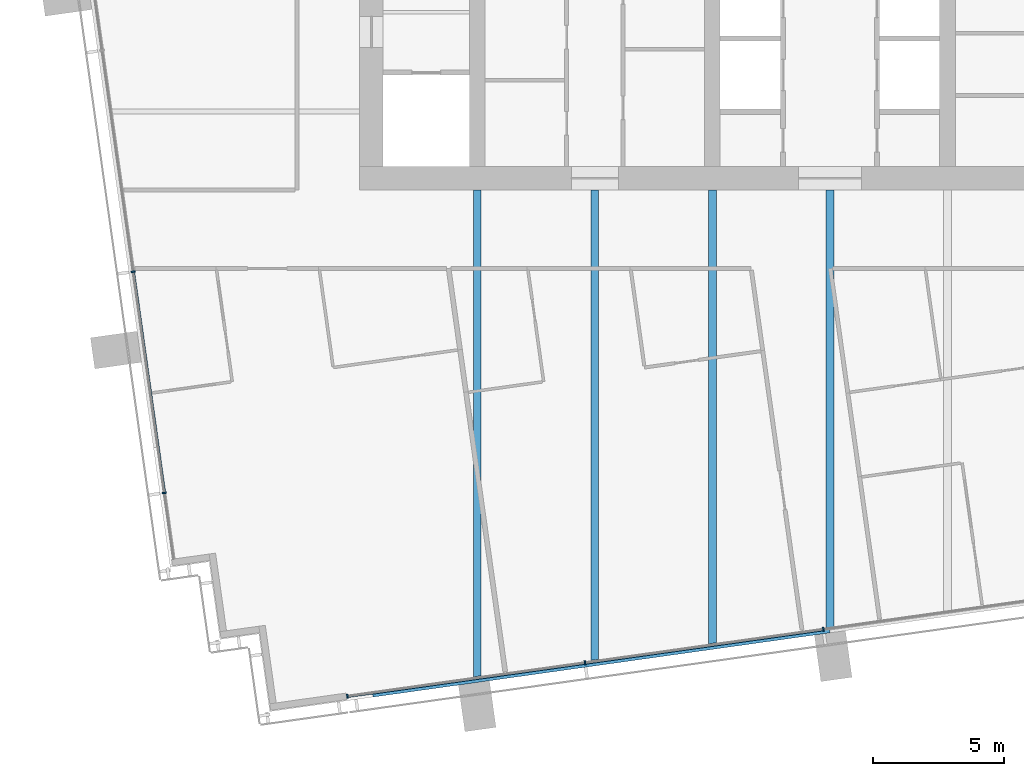
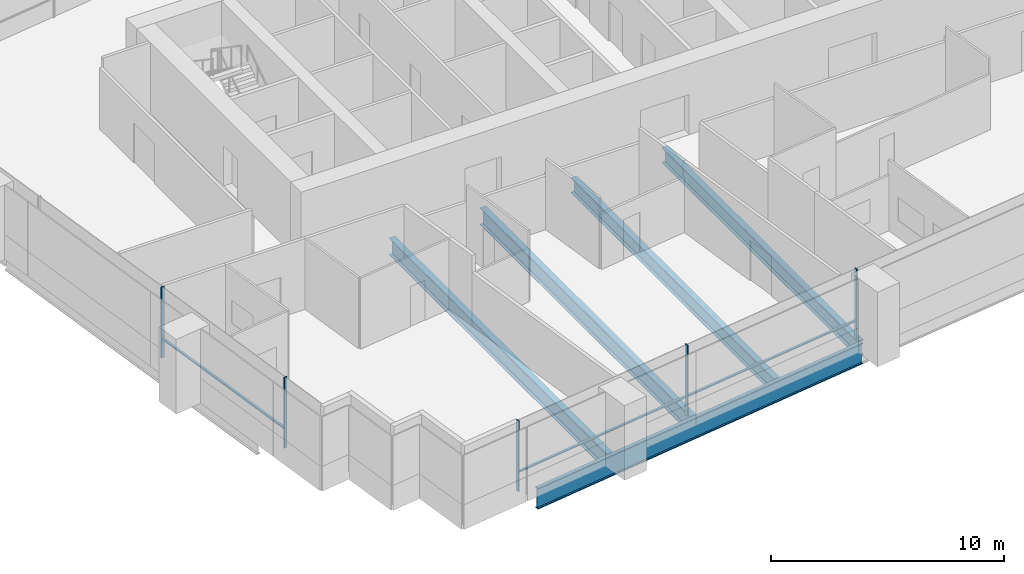
# One storey, part 2 of 18: 8 members, 5 beams, 2 elements without a shape of their own.
"""IFC4 building model written with IfcOpenShell, lengths in metres."""

from ifc_helpers import new_model, si_unit, direction, frame, origin, origin_2d, place, context, subcontext, project, spatial, rectangle, i_section, extrude, material, material_profile, profile_set, type_object, element, aggregate, save


model = new_model("IFC4")

# Units and contexts
model_context = context("Model", 3, precision=1e-05, world=origin(), true_north=direction((0.0, 1.0)))
body_context = subcontext(model_context, "Body", "Model", "MODEL_VIEW")
ifc_project = project(units=[si_unit("LENGTHUNIT", "METRE"), si_unit("AREAUNIT", "SQUARE_METRE"), si_unit("VOLUMEUNIT", "CUBIC_METRE"), si_unit("PLANEANGLEUNIT", "RADIAN"), si_unit("MASSUNIT", "GRAM", prefix="KILO")], contexts=[model_context])

# Site, building, storey
site_placement = place(None, origin())
site = spatial("IfcSite", under=ifc_project, at=site_placement, CompositionType="ELEMENT")
building_placement = place(site_placement, origin())
building = spatial("IfcBuilding", under=site, at=building_placement, Name="Rattan Terrace Tower", CompositionType="ELEMENT")
storey_placement = place(building_placement, frame((0.0, 0.0, 176.300048828125)))
storey = spatial("IfcBuildingStorey", under=building, at=storey_placement, Name="L40", CompositionType="ELEMENT", Elevation=176.300048828125)

# Curtain wall, members
ifc_material_1 = material(Name="Aluminium and glass", Category="aluminium")
curtain_wall_type = type_object("IfcCurtainWallType", Name="Facade Unitised Curtain Wall", PredefinedType="NOTDEFINED", material=ifc_material_1)
curtain_wall_1_placement = place(storey_placement, origin())
curtain_wall_1 = element("IfcCurtainWall", 1, at=curtain_wall_1_placement, inside=storey, type_object=curtain_wall_type, Name="Curtain wall L40-3", PredefinedType="NOTDEFINED")
ifc_material_2 = material(Name="Aluminium", Category="aluminium")
ifc_material_profile_1 = material_profile(ifc_material_2, rectangle(XDim=0.06005859375, YDim=0.159912109375, at=origin_2d()), Name="Aluminium 60x160")
ifc_profile_set_1 = profile_set([ifc_material_profile_1], Name="Aluminium")
member_type_1 = type_object("IfcMemberType", Name="Facade CW Mullion 60x160", PredefinedType="MULLION", material=ifc_profile_set_1)
member_1_placement = place(storey_placement, frame((-26.66748046875, -10.6259765625, 0.0), z_axis=(0.0, 0.0, 1.0), x_axis=(0.139190856006, -0.99026557327, 0.0)))
member_1 = element("IfcMember", 2, at=member_1_placement, type_object=member_type_1, Name="Mullion cwl-L40-003.3", PredefinedType="MULLION", context=body_context, shape_type="SweptSolid", body=[
    extrude(rectangle(XDim=0.06005859375, YDim=0.159912109375, at=origin_2d()), origin(), (0.0, 0.0, 1.0), 3.699951171875),
])
member_2_placement = place(storey_placement, frame((-25.477294921875, -19.092529296875, 0.0), z_axis=(0.0, 0.0, 1.0), x_axis=(0.139190856006, -0.99026557327, 0.0)))
member_2 = element("IfcMember", 3, at=member_2_placement, type_object=member_type_1, Name="Mullion cwl-L40-003.4", PredefinedType="MULLION", context=body_context, shape_type="SweptSolid", body=[
    extrude(rectangle(XDim=0.06005859375, YDim=0.159912109375, at=origin_2d()), origin(), (0.0, 0.0, 1.0), 3.699951171875),
])

curtain_wall_2_placement = place(storey_placement, origin())
curtain_wall_2 = element("IfcCurtainWall", 4, at=curtain_wall_2_placement, inside=storey, type_object=curtain_wall_type, Name="Curtain wall L40-4", PredefinedType="NOTDEFINED")
member_3_placement = place(storey_placement, frame((-18.467041015625, -26.87255859375, 0.0), z_axis=(0.0, 0.0, 1.0), x_axis=(0.990269702686, 0.139161474347, 0.0)))
member_3 = element("IfcMember", 5, at=member_3_placement, type_object=member_type_1, Name="Mullion cwl-L40-004.1", PredefinedType="MULLION", context=body_context, shape_type="SweptSolid", body=[
    extrude(rectangle(XDim=0.06005859375, YDim=0.159912109375, at=origin_2d()), origin(), (0.0, 0.0, 1.0), 3.699951171875),
])
member_4_placement = place(storey_placement, frame((-9.373291015625, -25.594482421875, 0.0), z_axis=(0.0, 0.0, 1.0), x_axis=(0.990269702686, 0.139161474347, 0.0)))
member_4 = element("IfcMember", 6, at=member_4_placement, type_object=member_type_1, Name="Mullion cwl-L40-004.2", PredefinedType="MULLION", context=body_context, shape_type="SweptSolid", body=[
    extrude(rectangle(XDim=0.06005859375, YDim=0.159912109375, at=origin_2d()), origin(), (0.0, 0.0, 1.0), 3.699951171875),
])
member_5_placement = place(storey_placement, frame((-0.25, -24.3125, 0.0), z_axis=(0.0, 0.0, 1.0), x_axis=(0.990269702686, 0.139161474347, 0.0)))
member_5 = element("IfcMember", 7, at=member_5_placement, type_object=member_type_1, Name="Mullion cwl-L40-004.3", PredefinedType="MULLION", context=body_context, shape_type="SweptSolid", body=[
    extrude(rectangle(XDim=0.06005859375, YDim=0.159912109375, at=origin_2d()), origin(), (0.0, 0.0, 1.0), 3.699951171875),
])

# Member
ifc_material_3 = material(Name="Aluminium", Category="aluminium")
ifc_material_profile_2 = material_profile(ifc_material_3, rectangle(XDim=0.1201171875, YDim=0.06005859375, at=origin_2d()), Name="Aluminium 120x60")
ifc_profile_set_2 = profile_set([ifc_material_profile_2], Name="Aluminium")
member_type_2 = type_object("IfcMemberType", Name="Facade CW Transom 120x60", PredefinedType="USERDEFINED", material=ifc_profile_set_2)
member_6_placement = place(storey_placement, frame((-26.663330078125, -10.655517578125, 1.0), z_axis=(0.139178607515, -0.99026729483, 0.0), x_axis=(0.99026729483, 0.139178607515, 0.0)))
member_6 = element("IfcMember", 8, at=member_6_placement, type_object=member_type_2, Name="Transom cwl-L40-003.3", ObjectType="TRANSOM", PredefinedType="USERDEFINED", context=body_context, shape_type="SweptSolid", body=[
    extrude(rectangle(XDim=0.1201171875, YDim=0.06005859375, at=origin_2d()), origin(), (0.0, 0.0, 1.0), 8.489990234375),
])

aggregate(curtain_wall_1, [member_1, member_2, member_6])

member_7_placement = place(storey_placement, frame((-18.437255859375, -26.868408203125, 1.0), z_axis=(0.990266494002, 0.139184305354, 0.0), x_axis=(-0.139184305354, 0.990266494002, 0.0)))
member_7 = element("IfcMember", 9, at=member_7_placement, type_object=member_type_2, Name="Transom cwl-L40-004.1", ObjectType="TRANSOM", PredefinedType="USERDEFINED", context=body_context, shape_type="SweptSolid", body=[
    extrude(rectangle(XDim=0.1201171875, YDim=0.06005859375, at=origin_2d()), origin(), (0.0, 0.0, 1.0), 9.123046875),
])

member_8_placement = place(storey_placement, frame((-9.343505859375, -25.59033203125, 1.0), z_axis=(0.990270711765, 0.139154293575, 0.0), x_axis=(-0.139154293575, 0.990270711765, 0.0)))
member_8 = element("IfcMember", 10, at=member_8_placement, type_object=member_type_2, Name="Transom cwl-L40-004.2", ObjectType="TRANSOM", PredefinedType="USERDEFINED", context=body_context, shape_type="SweptSolid", body=[
    extrude(rectangle(XDim=0.1201171875, YDim=0.06005859375, at=origin_2d()), origin(), (0.0, 0.0, 1.0), 9.153076171875),
])

aggregate(curtain_wall_2, [member_3, member_4, member_5, member_7, member_8])

# Beams
ifc_material_4 = material(Name="Steel S460", Category="steel")
ifc_material_profile_3 = material_profile(ifc_material_4, i_section(OverallWidth=0.179931640625, OverallDepth=1.10009765625, WebThickness=0.01611328125, FlangeThickness=0.050048828125, at=origin_2d()), Name="PG 1100x180-16-50")
ifc_profile_set_3 = profile_set([ifc_material_profile_3], Name="Steel S460")
beam_type_1 = type_object("IfcBeamType", Name="Frame edge girder PG 1100x180-16-50", PredefinedType="SPANDREL", material=ifc_profile_set_3)
beam_1_placement = place(storey_placement, frame((-17.4990234375, -26.818115234375, -0.75), z_axis=(0.990264173921, 0.139200811234, 0.0), x_axis=(-0.139200811234, 0.990264173921, 0.0)))
element("IfcBeam", 11, at=beam_1_placement, inside=storey, type_object=beam_type_1, Name="gdr-L40-001", PredefinedType="SPANDREL", context=body_context, shape_type="SweptSolid", body=[
    extrude(i_section(OverallWidth=0.179931640625, OverallDepth=1.10009765625, WebThickness=0.01611328125, FlangeThickness=0.050048828125, at=origin_2d()), origin(), (0.0, 0.0, 1.0), 17.657958984375),
])
ifc_material_5 = material(Name="Steel S355", Category="steel")
ifc_material_profile_4 = material_profile(ifc_material_5, i_section(OverallWidth=0.300048828125, OverallDepth=0.800048828125, WebThickness=0.017578125, FlangeThickness=0.032958984375, FilletRadius=0.030029296875, at=origin_2d()), Name="HE 800 B")
ifc_profile_set_4 = profile_set([ifc_material_profile_4], Name="Steel S355")
beam_type_2 = type_object("IfcBeamType", Name="Frame floor beam HE 800 B", PredefinedType="JOIST", material=ifc_profile_set_4)
beam_2_placement = place(storey_placement, frame((-4.5, -24.87890625, -0.60009765625), z_axis=(0.0, 1.0, 0.0), x_axis=(-1.0, 0.0, 0.0)))
element("IfcBeam", 12, at=beam_2_placement, inside=storey, type_object=beam_type_2, Name="bm-L40-005", PredefinedType="JOIST", context=body_context, shape_type="SweptSolid", body=[
    extrude(i_section(OverallWidth=0.300048828125, OverallDepth=0.800048828125, WebThickness=0.017578125, FlangeThickness=0.032958984375, FilletRadius=0.030029296875, at=origin_2d()), origin(), (0.0, 0.0, 1.0), 17.37890625),
])
beam_3_placement = place(storey_placement, frame((0.0, -24.24609375, -0.60009765625), z_axis=(0.0, 1.0, 0.0), x_axis=(-1.0, 0.0, 0.0)))
element("IfcBeam", 13, at=beam_3_placement, inside=storey, type_object=beam_type_2, Name="bm-L40-006", PredefinedType="JOIST", context=body_context, shape_type="SweptSolid", body=[
    extrude(i_section(OverallWidth=0.300048828125, OverallDepth=0.800048828125, WebThickness=0.017578125, FlangeThickness=0.032958984375, FilletRadius=0.030029296875, at=origin_2d()), origin(), (0.0, 0.0, 1.0), 16.74609375),
])
ifc_material_6 = material(Name="Steel S355", Category="steel")
ifc_material_profile_5 = material_profile(ifc_material_6, i_section(OverallWidth=0.300048828125, OverallDepth=0.89990234375, WebThickness=0.0185546875, FlangeThickness=0.034912109375, FilletRadius=0.030029296875, at=origin_2d()), Name="HE 900 B")
ifc_profile_set_5 = profile_set([ifc_material_profile_5], Name="Steel S355")
beam_type_3 = type_object("IfcBeamType", Name="Frame floor beam HE 900 B", PredefinedType="JOIST", material=ifc_profile_set_5)
beam_4_placement = place(storey_placement, frame((-13.5, -26.14404296875, -0.650146484375), z_axis=(0.0, 1.0, 0.0), x_axis=(-1.0, 0.0, 0.0)))
element("IfcBeam", 14, at=beam_4_placement, inside=storey, type_object=beam_type_3, Name="bm-L40-003", PredefinedType="JOIST", context=body_context, shape_type="SweptSolid", body=[
    extrude(i_section(OverallWidth=0.300048828125, OverallDepth=0.89990234375, WebThickness=0.0185546875, FlangeThickness=0.034912109375, FilletRadius=0.030029296875, at=origin_2d()), origin(), (0.0, 0.0, 1.0), 18.64404296875),
])
beam_5_placement = place(storey_placement, frame((-9.0, -25.510986328125, -0.650146484375), z_axis=(0.0, 1.0, 0.0), x_axis=(-1.0, 0.0, 0.0)))
element("IfcBeam", 15, at=beam_5_placement, inside=storey, type_object=beam_type_3, Name="bm-L40-004", PredefinedType="JOIST", context=body_context, shape_type="SweptSolid", body=[
    extrude(i_section(OverallWidth=0.300048828125, OverallDepth=0.89990234375, WebThickness=0.0185546875, FlangeThickness=0.034912109375, FilletRadius=0.030029296875, at=origin_2d()), origin(), (0.0, 0.0, 1.0), 18.010986328125),
])

save(model, "model.ifc")
